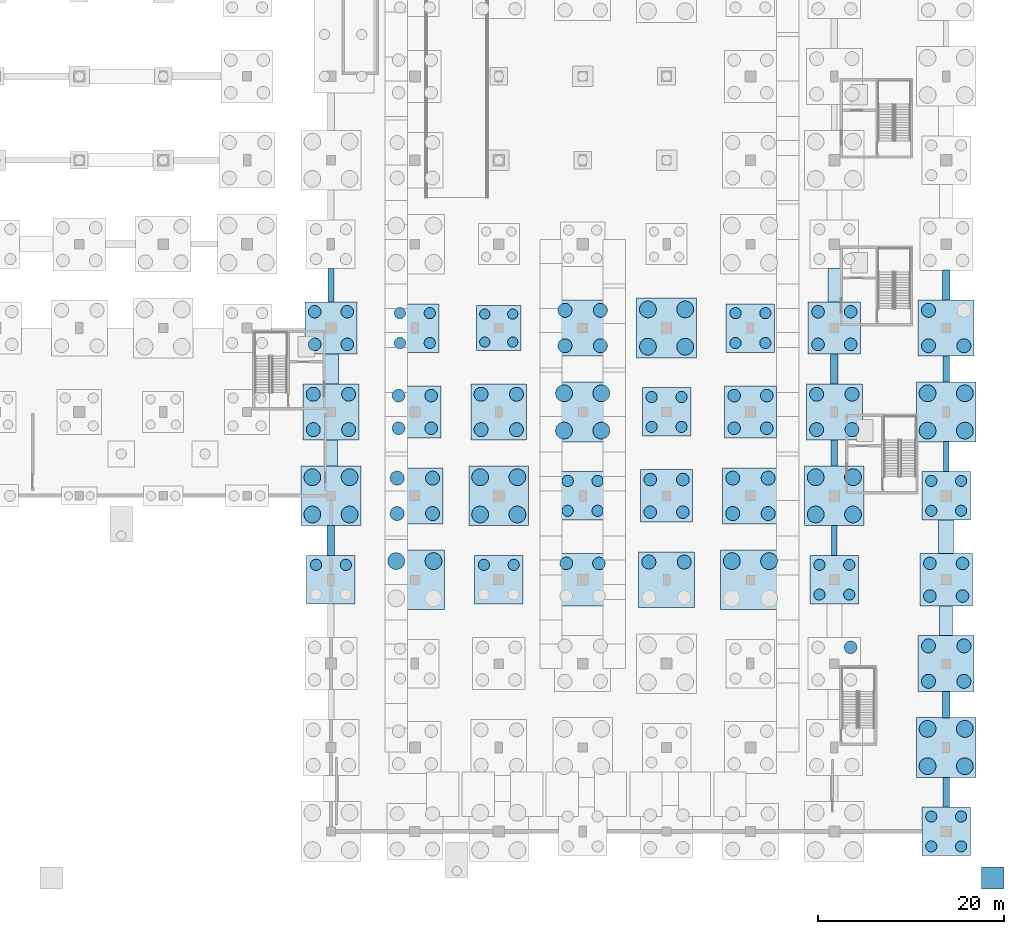
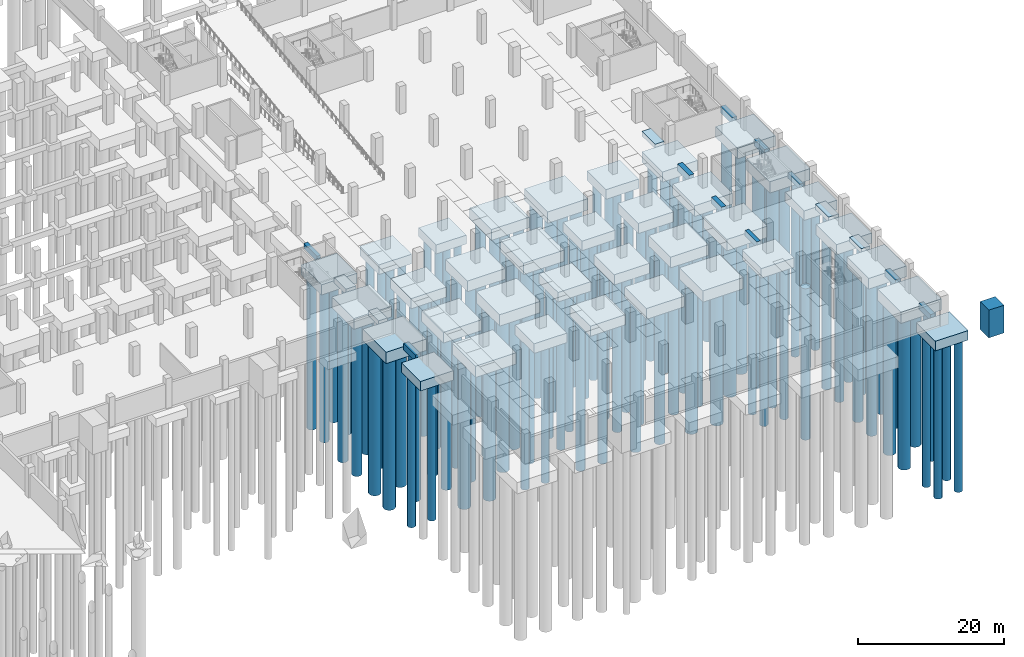
# One storey, part 8 of 37: 128 piles, 51 footings.
"""IFC4 building model written with IfcOpenShell, lengths in metres."""

from ifc_helpers import new_model, si_unit, direction, frame, origin, origin_2d, place, context, subcontext, project, spatial, rectangle, circle, extrude, material, material_profile, profile_set, type_object, element, save


model = new_model("IFC4")

# Units and contexts
model_context = context("Model", 3, precision=1e-05, world=origin(), true_north=direction((0.0, 1.0)))
body_context = subcontext(model_context, "Body", "Model", "MODEL_VIEW")
ifc_project = project(units=[si_unit("LENGTHUNIT", "METRE"), si_unit("AREAUNIT", "SQUARE_METRE"), si_unit("VOLUMEUNIT", "CUBIC_METRE"), si_unit("PLANEANGLEUNIT", "RADIAN"), si_unit("MASSUNIT", "GRAM", prefix="KILO")], contexts=[model_context])

# Site, building, storey
site_placement = place(None, origin())
site = spatial("IfcSite", under=ifc_project, at=site_placement, CompositionType="ELEMENT")
building_placement = place(site_placement, origin())
building = spatial("IfcBuilding", under=site, at=building_placement, Name="Barlavento Convention Centre", CompositionType="ELEMENT")
storey_placement = place(building_placement, frame((0.0, 0.0, -5.0)))
storey = spatial("IfcBuildingStorey", under=building, at=storey_placement, Name="B1", CompositionType="ELEMENT", Elevation=-5.0)

# Footings
ifc_material = material(Name="Concrete C40/50", Category="concrete")
footing_type_1 = type_object("IfcFootingType", Name="STR-FND-GB-600X900", PredefinedType="FOOTING_BEAM", material=ifc_material)
footing_1_placement = place(storey_placement, frame((126.0, 58.60009765625, -0.89990234375), z_axis=(0.0, 0.0, 1.0), x_axis=(1.0, 0.0, 0.0)))
element("IfcFooting", 1, at=footing_1_placement, inside=storey, type_object=footing_type_1, Name="Ground tie footing GB01", PredefinedType="FOOTING_BEAM", context=body_context, shape_type="SweptSolid", body=[
    extrude(rectangle(XDim=0.60009765625, YDim=3.610107421875, at=origin_2d()), origin(), (0.0, 0.0, 1.0), 0.89990234375),
])
for number, where, z_axis, x_axis, name in (
    (2, (180.0, 31.199951171875, -0.89990234375), (0.0, 0.0, 1.0), (1.0, 0.0, 0.0), "Ground tie footing GB01"),
    (3, (192.0, 40.199951171875, -0.89990234375), (0.0, 0.0, 1.0), (1.0, 0.0, 0.0), "Ground tie footing GB01"),
):
    element("IfcFooting", number, at=place(storey_placement, frame(where, z_axis=z_axis, x_axis=x_axis)), inside=storey, type_object=footing_type_1, Name=name, PredefinedType="FOOTING_BEAM", context=body_context, shape_type="SweptSolid", body=[
        extrude(rectangle(XDim=0.60009765625, YDim=3.2099609375, at=origin_2d()), origin(), (0.0, 0.0, 1.0), 0.89990234375),
    ])
footing_type_2 = type_object("IfcFootingType", Name="STR-FND-GB-700X1000", PredefinedType="FOOTING_BEAM", material=ifc_material)
footing_2_placement = place(storey_placement, frame((180.0, 40.60009765625, -1.0), z_axis=(0.0, 0.0, 1.0), x_axis=(1.0, 0.0, 0.0)))
element("IfcFooting", 4, at=footing_2_placement, inside=storey, type_object=footing_type_2, Name="Ground tie footing GB02", PredefinedType="FOOTING_BEAM", context=body_context, shape_type="SweptSolid", body=[
    extrude(rectangle(XDim=0.699951171875, YDim=2.81005859375, at=origin_2d()), origin(), (0.0, 0.0, 1.0), 1.0),
])
footing_3_placement = place(storey_placement, frame((192.0, 4.199951171875, -1.0), z_axis=(0.0, 0.0, 1.0), x_axis=(1.0, 0.0, 0.0)))
element("IfcFooting", 5, at=footing_3_placement, inside=storey, type_object=footing_type_2, Name="Ground tie footing GB02", PredefinedType="FOOTING_BEAM", context=body_context, shape_type="SweptSolid", body=[
    extrude(rectangle(XDim=0.699951171875, YDim=3.2099609375, at=origin_2d()), origin(), (0.0, 0.0, 1.0), 1.0),
])
footing_4_placement = place(storey_placement, frame((192.0, 49.60009765625, -1.0), z_axis=(0.0, 0.0, 1.0), x_axis=(1.0, 0.0, 0.0)))
element("IfcFooting", 6, at=footing_4_placement, inside=storey, type_object=footing_type_2, Name="Ground tie footing GB02", PredefinedType="FOOTING_BEAM", context=body_context, shape_type="SweptSolid", body=[
    extrude(rectangle(XDim=0.699951171875, YDim=2.81005859375, at=origin_2d()), origin(), (0.0, 0.0, 1.0), 1.0),
])
footing_type_3 = type_object("IfcFootingType", Name="STR-FND-GB-800X1100", PredefinedType="FOOTING_BEAM", material=ifc_material)
for number, where, z_axis, x_axis, name in (
    (7, (126.0, 31.199951171875, -1.10009765625), (0.0, 0.0, 1.0), (1.0, 0.0, 0.0), "Ground tie footing GB03"),
    (8, (180.0, 49.60009765625, -1.10009765625), (0.0, 0.0, 1.0), (1.0, 0.0, 0.0), "Ground tie footing GB03"),
):
    element("IfcFooting", number, at=place(storey_placement, frame(where, z_axis=z_axis, x_axis=x_axis)), inside=storey, type_object=footing_type_3, Name=name, PredefinedType="FOOTING_BEAM", context=body_context, shape_type="SweptSolid", body=[
        extrude(rectangle(XDim=0.800048828125, YDim=3.2099609375, at=origin_2d()), origin(), (0.0, 0.0, 1.0), 1.10009765625),
    ])
footing_5_placement = place(storey_placement, frame((192.0, 13.60009765625, -1.10009765625), z_axis=(0.0, 0.0, 1.0), x_axis=(1.0, 0.0, 0.0)))
element("IfcFooting", 9, at=footing_5_placement, inside=storey, type_object=footing_type_3, Name="Ground tie footing GB03", PredefinedType="FOOTING_BEAM", context=body_context, shape_type="SweptSolid", body=[
    extrude(rectangle(XDim=0.800048828125, YDim=2.81005859375, at=origin_2d()), origin(), (0.0, 0.0, 1.0), 1.10009765625),
])
footing_6_placement = place(storey_placement, frame((192.0, 58.60009765625, -1.10009765625), z_axis=(0.0, 0.0, 1.0), x_axis=(1.0, 0.0, 0.0)))
element("IfcFooting", 10, at=footing_6_placement, inside=storey, type_object=footing_type_3, Name="Ground tie footing GB03", PredefinedType="FOOTING_BEAM", context=body_context, shape_type="SweptSolid", body=[
    extrude(rectangle(XDim=0.800048828125, YDim=3.2099609375, at=origin_2d()), origin(), (0.0, 0.0, 1.0), 1.10009765625),
])
footing_type_4 = type_object("IfcFootingType", Name="STR-FND-PAD-APR-2400", PredefinedType="PAD_FOOTING", material=ifc_material)
footing_7_placement = place(storey_placement, frame((197.0, -5.0, 0.0), z_axis=(0.0, 0.0, 1.0), x_axis=(1.0, 0.0, 0.0)))
element("IfcFooting", 11, at=footing_7_placement, inside=storey, type_object=footing_type_4, Name="Perimeter plaza apron foundation pad FND-PAD-APR-03", PredefinedType="PAD_FOOTING", context=body_context, shape_type="SweptSolid", body=[
    extrude(rectangle(XDim=2.39990234375, YDim=2.39990234375, at=origin_2d()), origin(), (0.0, 0.0, 1.0), 4.639892578125),
])
footing_type_5 = type_object("IfcFootingType", Name="STR-FND-PC4-4800", PredefinedType="PILE_CAP", material=ifc_material)
footing_8_placement = place(storey_placement, frame((144.0, 54.0, -2.02001953125), z_axis=(0.0, 0.0, 1.0), x_axis=(1.0, 0.0, 0.0)))
element("IfcFooting", 12, at=footing_8_placement, inside=storey, type_object=footing_type_5, Name="Pile cap PC08 at 17-G", PredefinedType="PILE_CAP", context=body_context, shape_type="SweptSolid", body=[
    extrude(rectangle(XDim=4.800048828125, YDim=4.800048828125, at=origin_2d()), origin(), (0.0, 0.0, 1.0), 1.5),
])
footing_type_6 = type_object("IfcFootingType", Name="STR-FND-PC4-5200", PredefinedType="PILE_CAP", material=ifc_material)
for number, where, z_axis, x_axis, name in (
    (13, (126.0, 27.0, -2.1201171875), (0.0, 0.0, 1.0), (1.0, 0.0, 0.0), "Pile cap PC09 at 15-D"),
    (14, (135.0, 54.0, -2.1201171875), (0.0, 0.0, 1.0), (1.0, 0.0, 0.0), "Pile cap PC09 at 16-G"),
    (15, (144.0, 27.0, -2.1201171875), (0.0, 0.0, 1.0), (1.0, 0.0, 0.0), "Pile cap PC09 at 17-D"),
    (16, (153.0, 36.0, -2.1201171875), (0.0, 0.0, 1.0), (1.0, 0.0, 0.0), "Pile cap PC09 at 18-E"),
    (17, (162.0, 45.0, -2.1201171875), (0.0, 0.0, 1.0), (1.0, 0.0, 0.0), "Pile cap PC09 at 19-F"),
    (18, (171.0, 54.0, -2.1201171875), (0.0, 0.0, 1.0), (1.0, 0.0, 0.0), "Pile cap PC09 at 20-G"),
    (19, (180.0, 27.0, -2.1201171875), (0.0, 0.0, 1.0), (1.0, 0.0, 0.0), "Pile cap PC09 at 21-D"),
    (20, (192.0, 0.0, -2.1201171875), (0.0, 0.0, 1.0), (1.0, 0.0, 0.0), "Pile cap PC09 at 22-A"),
    (21, (192.0, 36.0, -2.1201171875), (0.0, 0.0, 1.0), (1.0, 0.0, 0.0), "Pile cap PC09 at 22-E"),
):
    element("IfcFooting", number, at=place(storey_placement, frame(where, z_axis=z_axis, x_axis=x_axis)), inside=storey, type_object=footing_type_6, Name=name, PredefinedType="PILE_CAP", context=body_context, shape_type="SweptSolid", body=[
        extrude(rectangle(XDim=5.199951171875, YDim=5.199951171875, at=origin_2d()), origin(), (0.0, 0.0, 1.0), 1.60009765625),
    ])
footing_type_7 = type_object("IfcFootingType", Name="STR-FND-PC4-5600", PredefinedType="PILE_CAP", material=ifc_material)
for number, where, z_axis, x_axis, name in (
    (22, (126.0, 54.0, -2.22021484375), (0.0, 0.0, 1.0), (1.0, 0.0, 0.0), "Pile cap PC10 at 15-G"),
    (23, (135.0, 45.0, -2.22021484375), (0.0, 0.0, 1.0), (1.0, 0.0, 0.0), "Pile cap PC10 at 16-F"),
    (24, (153.0, 27.0, -2.22021484375), (0.0, 0.0, 1.0), (1.0, 0.0, 0.0), "Pile cap PC10 at 18-D"),
    (25, (162.0, 36.0, -2.22021484375), (0.0, 0.0, 1.0), (1.0, 0.0, 0.0), "Pile cap PC10 at 19-E"),
    (26, (171.0, 45.0, -2.22021484375), (0.0, 0.0, 1.0), (1.0, 0.0, 0.0), "Pile cap PC10 at 20-F"),
    (27, (180.0, 54.0, -2.22021484375), (0.0, 0.0, 1.0), (1.0, 0.0, 0.0), "Pile cap PC10 at 21-G"),
    (28, (192.0, 27.0, -2.22021484375), (0.0, 0.0, 1.0), (1.0, 0.0, 0.0), "Pile cap PC10 at 22-D"),
):
    element("IfcFooting", number, at=place(storey_placement, frame(where, z_axis=z_axis, x_axis=x_axis)), inside=storey, type_object=footing_type_7, Name=name, PredefinedType="PILE_CAP", context=body_context, shape_type="SweptSolid", body=[
        extrude(rectangle(XDim=5.60009765625, YDim=5.60009765625, at=origin_2d()), origin(), (0.0, 0.0, 1.0), 1.699951171875),
    ])
footing_type_8 = type_object("IfcFootingType", Name="STR-FND-PC4-6000", PredefinedType="PILE_CAP", material=ifc_material)
for number, where, z_axis, x_axis, name in (
    (29, (126.0, 45.0, -2.31982421875), (0.0, 0.0, 1.0), (1.0, 0.0, 0.0), "Pile cap PC11 at 15-F"),
    (30, (135.0, 36.0, -2.31982421875), (0.0, 0.0, 1.0), (1.0, 0.0, 0.0), "Pile cap PC11 at 16-E"),
    (31, (144.0, 45.0, -2.31982421875), (0.0, 0.0, 1.0), (1.0, 0.0, 0.0), "Pile cap PC11 at 17-F"),
    (32, (153.0, 54.0, -2.31982421875), (0.0, 0.0, 1.0), (1.0, 0.0, 0.0), "Pile cap PC11 at 18-G"),
    (33, (162.0, 27.0, -2.31982421875), (0.0, 0.0, 1.0), (1.0, 0.0, 0.0), "Pile cap PC11 at 19-D"),
    (34, (171.0, 36.0, -2.31982421875), (0.0, 0.0, 1.0), (1.0, 0.0, 0.0), "Pile cap PC11 at 20-E"),
    (35, (180.0, 45.0, -2.31982421875), (0.0, 0.0, 1.0), (1.0, 0.0, 0.0), "Pile cap PC11 at 21-F"),
    (36, (192.0, 18.0, -2.31982421875), (0.0, 0.0, 1.0), (1.0, 0.0, 0.0), "Pile cap PC11 at 22-C"),
    (37, (192.0, 54.0, -2.31982421875), (0.0, 0.0, 1.0), (1.0, 0.0, 0.0), "Pile cap PC11 at 22-G"),
):
    element("IfcFooting", number, at=place(storey_placement, frame(where, z_axis=z_axis, x_axis=x_axis)), inside=storey, type_object=footing_type_8, Name=name, PredefinedType="PILE_CAP", context=body_context, shape_type="SweptSolid", body=[
        extrude(rectangle(XDim=6.0, YDim=6.0, at=origin_2d()), origin(), (0.0, 0.0, 1.0), 1.800048828125),
    ])
footing_type_9 = type_object("IfcFootingType", Name="STR-FND-PC4-6400", PredefinedType="PILE_CAP", material=ifc_material)
for number, where, z_axis, x_axis, name in (
    (38, (126.0, 36.0, -2.419921875), (0.0, 0.0, 1.0), (1.0, 0.0, 0.0), "Pile cap PC12 at 15-E"),
    (39, (135.0, 27.0, -2.419921875), (0.0, 0.0, 1.0), (1.0, 0.0, 0.0), "Pile cap PC12 at 16-D"),
    (40, (144.0, 36.0, -2.419921875), (0.0, 0.0, 1.0), (1.0, 0.0, 0.0), "Pile cap PC12 at 17-E"),
    (41, (153.0, 45.0, -2.419921875), (0.0, 0.0, 1.0), (1.0, 0.0, 0.0), "Pile cap PC12 at 18-F"),
    (42, (162.0, 54.0, -2.419921875), (0.0, 0.0, 1.0), (1.0, 0.0, 0.0), "Pile cap PC12 at 19-G"),
    (43, (171.0, 27.0, -2.419921875), (0.0, 0.0, 1.0), (1.0, 0.0, 0.0), "Pile cap PC12 at 20-D"),
    (44, (180.0, 36.0, -2.419921875), (0.0, 0.0, 1.0), (1.0, 0.0, 0.0), "Pile cap PC12 at 21-E"),
    (45, (192.0, 9.0, -2.419921875), (0.0, 0.0, 1.0), (1.0, 0.0, 0.0), "Pile cap PC12 at 22-B"),
    (46, (192.0, 45.0, -2.419921875), (0.0, 0.0, 1.0), (1.0, 0.0, 0.0), "Pile cap PC12 at 22-F"),
):
    element("IfcFooting", number, at=place(storey_placement, frame(where, z_axis=z_axis, x_axis=x_axis)), inside=storey, type_object=footing_type_9, Name=name, PredefinedType="PILE_CAP", context=body_context, shape_type="SweptSolid", body=[
        extrude(rectangle(XDim=6.39990234375, YDim=6.39990234375, at=origin_2d()), origin(), (0.0, 0.0, 1.0), 1.89990234375),
    ])
footing_type_10 = type_object("IfcFootingType", Name="STR-FND-SF-1400X800", PredefinedType="STRIP_FOOTING", material=ifc_material)
footing_9_placement = place(storey_placement, frame((126.0, 40.60009765625, -0.7998046875), z_axis=(0.0, 0.0, 1.0), x_axis=(1.0, 0.0, 0.0)))
element("IfcFooting", 47, at=footing_9_placement, inside=storey, type_object=footing_type_10, Name="Ground tie footing SF01", PredefinedType="STRIP_FOOTING", context=body_context, shape_type="SweptSolid", body=[
    extrude(rectangle(XDim=1.39990234375, YDim=2.81005859375, at=origin_2d()), origin(), (0.0, 0.0, 1.0), 0.800048828125),
])
footing_10_placement = place(storey_placement, frame((180.0, 58.60009765625, -0.7998046875), z_axis=(0.0, 0.0, 1.0), x_axis=(1.0, 0.0, 0.0)))
element("IfcFooting", 48, at=footing_10_placement, inside=storey, type_object=footing_type_10, Name="Ground tie footing SF01", PredefinedType="STRIP_FOOTING", context=body_context, shape_type="SweptSolid", body=[
    extrude(rectangle(XDim=1.39990234375, YDim=3.610107421875, at=origin_2d()), origin(), (0.0, 0.0, 1.0), 0.800048828125),
])
footing_11_placement = place(storey_placement, frame((192.0, 22.60009765625, -0.7998046875), z_axis=(0.0, 0.0, 1.0), x_axis=(1.0, 0.0, 0.0)))
element("IfcFooting", 49, at=footing_11_placement, inside=storey, type_object=footing_type_10, Name="Ground tie footing SF01", PredefinedType="STRIP_FOOTING", context=body_context, shape_type="SweptSolid", body=[
    extrude(rectangle(XDim=1.39990234375, YDim=3.2099609375, at=origin_2d()), origin(), (0.0, 0.0, 1.0), 0.800048828125),
])
footing_type_11 = type_object("IfcFootingType", Name="STR-FND-SF-1600X900", PredefinedType="STRIP_FOOTING", material=ifc_material)
footing_12_placement = place(storey_placement, frame((126.0, 49.60009765625, -0.89990234375), z_axis=(0.0, 0.0, 1.0), x_axis=(1.0, 0.0, 0.0)))
element("IfcFooting", 50, at=footing_12_placement, inside=storey, type_object=footing_type_11, Name="Ground tie footing SF02", PredefinedType="STRIP_FOOTING", context=body_context, shape_type="SweptSolid", body=[
    extrude(rectangle(XDim=1.60009765625, YDim=3.2099609375, at=origin_2d()), origin(), (0.0, 0.0, 1.0), 0.89990234375),
])
footing_13_placement = place(storey_placement, frame((192.0, 31.60009765625, -0.89990234375), z_axis=(0.0, 0.0, 1.0), x_axis=(1.0, 0.0, 0.0)))
element("IfcFooting", 51, at=footing_13_placement, inside=storey, type_object=footing_type_11, Name="Ground tie footing SF02", PredefinedType="STRIP_FOOTING", context=body_context, shape_type="SweptSolid", body=[
    extrude(rectangle(XDim=1.60009765625, YDim=3.610107421875, at=origin_2d()), origin(), (0.0, 0.0, 1.0), 0.89990234375),
])

# Piles
ifc_material_profile_1 = material_profile(ifc_material, circle(Radius=0.550048828125, at=origin_2d()), Name="BORED PILE 1100")
ifc_profile_set_1 = profile_set([ifc_material_profile_1], Name="Concrete C40/50")
pile_type_1 = type_object("IfcPileType", Name="STR-PIL-B1100", PredefinedType="BORED", material=ifc_profile_set_1)
for number, where, z_axis, x_axis, name in (
    (52, (142.5, 52.5, -1.919921875), (0.0, 0.0, -1.0), (1.0, 0.0, 0.0), "Bored pile P11 under FND-CAP-0218"),
    (53, (145.5, 52.5, -1.919921875), (0.0, 0.0, -1.0), (1.0, 0.0, 0.0), "Bored pile P11 under FND-CAP-0218"),
    (54, (142.5, 55.5, -1.919921875), (0.0, 0.0, -1.0), (1.0, 0.0, 0.0), "Bored pile P11 under FND-CAP-0218"),
    (55, (145.5, 55.5, -1.919921875), (0.0, 0.0, -1.0), (1.0, 0.0, 0.0), "Bored pile P11 under FND-CAP-0218"),
):
    element("IfcPile", number, at=place(storey_placement, frame(where, z_axis=z_axis, x_axis=x_axis)), inside=storey, type_object=pile_type_1, Name=name, PredefinedType="BORED", context=body_context, shape_type="SweptSolid", body=[
        extrude(circle(Radius=0.550048828125, at=origin_2d()), origin(), (0.0, 0.0, 1.0), 25.580078125),
    ])
ifc_material_profile_2 = material_profile(ifc_material, circle(Radius=0.60009765625, at=origin_2d()), Name="BORED PILE 1200")
ifc_profile_set_2 = profile_set([ifc_material_profile_2], Name="Concrete C40/50")
pile_type_2 = type_object("IfcPileType", Name="STR-PIL-B1200", PredefinedType="BORED", material=ifc_profile_set_2)
for number, where, z_axis, x_axis, name in (
    (56, (124.39990234375, 28.60009765625, -2.02001953125), (0.0, 0.0, -1.0), (1.0, 0.0, 0.0), "Bored pile P12 under FND-CAP-0187"),
    (57, (127.60009765625, 28.60009765625, -2.02001953125), (0.0, 0.0, -1.0), (1.0, 0.0, 0.0), "Bored pile P12 under FND-CAP-0187"),
    (58, (133.39990234375, 52.39990234375, -2.02001953125), (0.0, 0.0, -1.0), (1.0, 0.0, 0.0), "Bored pile P12 under FND-CAP-0203"),
    (59, (136.60009765625, 52.39990234375, -2.02001953125), (0.0, 0.0, -1.0), (1.0, 0.0, 0.0), "Bored pile P12 under FND-CAP-0203"),
    (60, (133.39990234375, 55.60009765625, -2.02001953125), (0.0, 0.0, -1.0), (1.0, 0.0, 0.0), "Bored pile P12 under FND-CAP-0203"),
    (61, (136.60009765625, 55.60009765625, -2.02001953125), (0.0, 0.0, -1.0), (1.0, 0.0, 0.0), "Bored pile P12 under FND-CAP-0203"),
    (62, (142.39990234375, 28.60009765625, -2.02001953125), (0.0, 0.0, -1.0), (1.0, 0.0, 0.0), "Bored pile P12 under FND-CAP-0215"),
    (63, (145.60009765625, 28.60009765625, -2.02001953125), (0.0, 0.0, -1.0), (1.0, 0.0, 0.0), "Bored pile P12 under FND-CAP-0215"),
    (64, (151.39990234375, 34.39990234375, -2.02001953125), (0.0, 0.0, -1.0), (1.0, 0.0, 0.0), "Bored pile P12 under FND-CAP-0231"),
    (65, (154.60009765625, 34.39990234375, -2.02001953125), (0.0, 0.0, -1.0), (1.0, 0.0, 0.0), "Bored pile P12 under FND-CAP-0231"),
    (66, (151.39990234375, 37.60009765625, -2.02001953125), (0.0, 0.0, -1.0), (1.0, 0.0, 0.0), "Bored pile P12 under FND-CAP-0231"),
    (67, (154.60009765625, 37.60009765625, -2.02001953125), (0.0, 0.0, -1.0), (1.0, 0.0, 0.0), "Bored pile P12 under FND-CAP-0231"),
    (68, (160.39990234375, 43.39990234375, -2.02001953125), (0.0, 0.0, -1.0), (1.0, 0.0, 0.0), "Bored pile P12 under FND-CAP-0247"),
    (69, (163.60009765625, 43.39990234375, -2.02001953125), (0.0, 0.0, -1.0), (1.0, 0.0, 0.0), "Bored pile P12 under FND-CAP-0247"),
    (70, (160.39990234375, 46.60009765625, -2.02001953125), (0.0, 0.0, -1.0), (1.0, 0.0, 0.0), "Bored pile P12 under FND-CAP-0247"),
    (71, (163.60009765625, 46.60009765625, -2.02001953125), (0.0, 0.0, -1.0), (1.0, 0.0, 0.0), "Bored pile P12 under FND-CAP-0247"),
    (72, (169.39990234375, 52.39990234375, -2.02001953125), (0.0, 0.0, -1.0), (1.0, 0.0, 0.0), "Bored pile P12 under FND-CAP-0263"),
    (73, (172.60009765625, 52.39990234375, -2.02001953125), (0.0, 0.0, -1.0), (1.0, 0.0, 0.0), "Bored pile P12 under FND-CAP-0263"),
    (74, (169.39990234375, 55.60009765625, -2.02001953125), (0.0, 0.0, -1.0), (1.0, 0.0, 0.0), "Bored pile P12 under FND-CAP-0263"),
    (75, (172.60009765625, 55.60009765625, -2.02001953125), (0.0, 0.0, -1.0), (1.0, 0.0, 0.0), "Bored pile P12 under FND-CAP-0263"),
    (76, (178.39990234375, 25.39990234375, -2.02001953125), (0.0, 0.0, -1.0), (1.0, 0.0, 0.0), "Bored pile P12 under FND-CAP-0275"),
    (77, (181.60009765625, 25.39990234375, -2.02001953125), (0.0, 0.0, -1.0), (1.0, 0.0, 0.0), "Bored pile P12 under FND-CAP-0275"),
    (78, (178.39990234375, 28.60009765625, -2.02001953125), (0.0, 0.0, -1.0), (1.0, 0.0, 0.0), "Bored pile P12 under FND-CAP-0275"),
    (79, (181.60009765625, 28.60009765625, -2.02001953125), (0.0, 0.0, -1.0), (1.0, 0.0, 0.0), "Bored pile P12 under FND-CAP-0275"),
    (80, (190.39990234375, -1.60009765625, -2.02001953125), (0.0, 0.0, -1.0), (1.0, 0.0, 0.0), "Bored pile P12 under FND-CAP-0287"),
    (81, (193.60009765625, -1.60009765625, -2.02001953125), (0.0, 0.0, -1.0), (1.0, 0.0, 0.0), "Bored pile P12 under FND-CAP-0287"),
    (82, (190.39990234375, 1.60009765625, -2.02001953125), (0.0, 0.0, -1.0), (1.0, 0.0, 0.0), "Bored pile P12 under FND-CAP-0287"),
    (83, (193.60009765625, 1.60009765625, -2.02001953125), (0.0, 0.0, -1.0), (1.0, 0.0, 0.0), "Bored pile P12 under FND-CAP-0287"),
    (84, (190.39990234375, 34.39990234375, -2.02001953125), (0.0, 0.0, -1.0), (1.0, 0.0, 0.0), "Bored pile P12 under FND-CAP-0291"),
    (85, (193.60009765625, 34.39990234375, -2.02001953125), (0.0, 0.0, -1.0), (1.0, 0.0, 0.0), "Bored pile P12 under FND-CAP-0291"),
    (86, (190.39990234375, 37.60009765625, -2.02001953125), (0.0, 0.0, -1.0), (1.0, 0.0, 0.0), "Bored pile P12 under FND-CAP-0291"),
    (87, (193.60009765625, 37.60009765625, -2.02001953125), (0.0, 0.0, -1.0), (1.0, 0.0, 0.0), "Bored pile P12 under FND-CAP-0291"),
):
    element("IfcPile", number, at=place(storey_placement, frame(where, z_axis=z_axis, x_axis=x_axis)), inside=storey, type_object=pile_type_2, Name=name, PredefinedType="BORED", context=body_context, shape_type="SweptSolid", body=[
        extrude(circle(Radius=0.60009765625, at=origin_2d()), origin(), (0.0, 0.0, 1.0), 25.47998046875),
    ])
ifc_material_profile_3 = material_profile(ifc_material, circle(Radius=0.675048828125, at=origin_2d()), Name="BORED PILE 1350")
ifc_profile_set_3 = profile_set([ifc_material_profile_3], Name="Concrete C40/50")
pile_type_3 = type_object("IfcPileType", Name="STR-PIL-B1350", PredefinedType="BORED", material=ifc_profile_set_3)
for number, where, z_axis, x_axis, name in (
    (88, (124.25, 52.25, -2.1201171875), (0.0, 0.0, -1.0), (1.0, 0.0, 0.0), "Bored pile P13 under FND-CAP-0190"),
    (89, (127.75, 52.25, -2.1201171875), (0.0, 0.0, -1.0), (1.0, 0.0, 0.0), "Bored pile P13 under FND-CAP-0190"),
    (90, (124.25, 55.75, -2.1201171875), (0.0, 0.0, -1.0), (1.0, 0.0, 0.0), "Bored pile P13 under FND-CAP-0190"),
    (91, (127.75, 55.75, -2.1201171875), (0.0, 0.0, -1.0), (1.0, 0.0, 0.0), "Bored pile P13 under FND-CAP-0190"),
    (92, (133.25, 43.25, -2.1201171875), (0.0, 0.0, -1.0), (1.0, 0.0, 0.0), "Bored pile P13 under FND-CAP-0202"),
    (93, (136.75, 43.25, -2.1201171875), (0.0, 0.0, -1.0), (1.0, 0.0, 0.0), "Bored pile P13 under FND-CAP-0202"),
    (94, (133.25, 46.75, -2.1201171875), (0.0, 0.0, -1.0), (1.0, 0.0, 0.0), "Bored pile P13 under FND-CAP-0202"),
    (95, (136.75, 46.75, -2.1201171875), (0.0, 0.0, -1.0), (1.0, 0.0, 0.0), "Bored pile P13 under FND-CAP-0202"),
    (96, (151.25, 28.75, -2.1201171875), (0.0, 0.0, -1.0), (1.0, 0.0, 0.0), "Bored pile P13 under FND-CAP-0230"),
    (97, (154.75, 28.75, -2.1201171875), (0.0, 0.0, -1.0), (1.0, 0.0, 0.0), "Bored pile P13 under FND-CAP-0230"),
    (98, (160.25, 34.25, -2.1201171875), (0.0, 0.0, -1.0), (1.0, 0.0, 0.0), "Bored pile P13 under FND-CAP-0246"),
    (99, (163.75, 34.25, -2.1201171875), (0.0, 0.0, -1.0), (1.0, 0.0, 0.0), "Bored pile P13 under FND-CAP-0246"),
    (100, (160.25, 37.75, -2.1201171875), (0.0, 0.0, -1.0), (1.0, 0.0, 0.0), "Bored pile P13 under FND-CAP-0246"),
    (101, (163.75, 37.75, -2.1201171875), (0.0, 0.0, -1.0), (1.0, 0.0, 0.0), "Bored pile P13 under FND-CAP-0246"),
    (102, (169.25, 43.25, -2.1201171875), (0.0, 0.0, -1.0), (1.0, 0.0, 0.0), "Bored pile P13 under FND-CAP-0262"),
    (103, (172.75, 43.25, -2.1201171875), (0.0, 0.0, -1.0), (1.0, 0.0, 0.0), "Bored pile P13 under FND-CAP-0262"),
    (104, (169.25, 46.75, -2.1201171875), (0.0, 0.0, -1.0), (1.0, 0.0, 0.0), "Bored pile P13 under FND-CAP-0262"),
    (105, (172.75, 46.75, -2.1201171875), (0.0, 0.0, -1.0), (1.0, 0.0, 0.0), "Bored pile P13 under FND-CAP-0262"),
    (106, (181.75, 19.75, -2.1201171875), (0.0, 0.0, -1.0), (1.0, 0.0, 0.0), "Bored pile P13 under FND-CAP-0274"),
    (107, (178.25, 52.25, -2.1201171875), (0.0, 0.0, -1.0), (1.0, 0.0, 0.0), "Bored pile P13 under FND-CAP-0278"),
    (108, (181.75, 52.25, -2.1201171875), (0.0, 0.0, -1.0), (1.0, 0.0, 0.0), "Bored pile P13 under FND-CAP-0278"),
    (109, (178.25, 55.75, -2.1201171875), (0.0, 0.0, -1.0), (1.0, 0.0, 0.0), "Bored pile P13 under FND-CAP-0278"),
    (110, (181.75, 55.75, -2.1201171875), (0.0, 0.0, -1.0), (1.0, 0.0, 0.0), "Bored pile P13 under FND-CAP-0278"),
    (111, (190.25, 25.25, -2.1201171875), (0.0, 0.0, -1.0), (1.0, 0.0, 0.0), "Bored pile P13 under FND-CAP-0290"),
    (112, (193.75, 25.25, -2.1201171875), (0.0, 0.0, -1.0), (1.0, 0.0, 0.0), "Bored pile P13 under FND-CAP-0290"),
    (113, (190.25, 28.75, -2.1201171875), (0.0, 0.0, -1.0), (1.0, 0.0, 0.0), "Bored pile P13 under FND-CAP-0290"),
    (114, (193.75, 28.75, -2.1201171875), (0.0, 0.0, -1.0), (1.0, 0.0, 0.0), "Bored pile P13 under FND-CAP-0290"),
):
    element("IfcPile", number, at=place(storey_placement, frame(where, z_axis=z_axis, x_axis=x_axis)), inside=storey, type_object=pile_type_3, Name=name, PredefinedType="BORED", context=body_context, shape_type="SweptSolid", body=[
        extrude(circle(Radius=0.675048828125, at=origin_2d()), origin(), (0.0, 0.0, 1.0), 25.3798828125),
    ])
ifc_material_profile_4 = material_profile(ifc_material, circle(Radius=0.75, at=origin_2d()), Name="BORED PILE 1500")
ifc_profile_set_4 = profile_set([ifc_material_profile_4], Name="Concrete C40/50")
pile_type_4 = type_object("IfcPileType", Name="STR-PIL-B1500", PredefinedType="BORED", material=ifc_profile_set_4)
for number, where, z_axis, x_axis, name in (
    (115, (124.10009765625, 43.10009765625, -2.219970703125), (0.0, 0.0, -1.0), (1.0, 0.0, 0.0), "Bored pile P15 under FND-CAP-0189"),
    (116, (127.89990234375, 43.10009765625, -2.219970703125), (0.0, 0.0, -1.0), (1.0, 0.0, 0.0), "Bored pile P15 under FND-CAP-0189"),
    (117, (124.10009765625, 46.89990234375, -2.219970703125), (0.0, 0.0, -1.0), (1.0, 0.0, 0.0), "Bored pile P15 under FND-CAP-0189"),
    (118, (127.89990234375, 46.89990234375, -2.219970703125), (0.0, 0.0, -1.0), (1.0, 0.0, 0.0), "Bored pile P15 under FND-CAP-0189"),
    (119, (133.10009765625, 34.10009765625, -2.219970703125), (0.0, 0.0, -1.0), (1.0, 0.0, 0.0), "Bored pile P15 under FND-CAP-0201"),
    (120, (136.89990234375, 34.10009765625, -2.219970703125), (0.0, 0.0, -1.0), (1.0, 0.0, 0.0), "Bored pile P15 under FND-CAP-0201"),
    (121, (133.10009765625, 37.89990234375, -2.219970703125), (0.0, 0.0, -1.0), (1.0, 0.0, 0.0), "Bored pile P15 under FND-CAP-0201"),
    (122, (136.89990234375, 37.89990234375, -2.219970703125), (0.0, 0.0, -1.0), (1.0, 0.0, 0.0), "Bored pile P15 under FND-CAP-0201"),
    (123, (142.10009765625, 43.10009765625, -2.219970703125), (0.0, 0.0, -1.0), (1.0, 0.0, 0.0), "Bored pile P15 under FND-CAP-0217"),
    (124, (145.89990234375, 43.10009765625, -2.219970703125), (0.0, 0.0, -1.0), (1.0, 0.0, 0.0), "Bored pile P15 under FND-CAP-0217"),
    (125, (142.10009765625, 46.89990234375, -2.219970703125), (0.0, 0.0, -1.0), (1.0, 0.0, 0.0), "Bored pile P15 under FND-CAP-0217"),
    (126, (145.89990234375, 46.89990234375, -2.219970703125), (0.0, 0.0, -1.0), (1.0, 0.0, 0.0), "Bored pile P15 under FND-CAP-0217"),
    (127, (151.10009765625, 52.10009765625, -2.219970703125), (0.0, 0.0, -1.0), (1.0, 0.0, 0.0), "Bored pile P15 under FND-CAP-0233"),
    (128, (154.89990234375, 52.10009765625, -2.219970703125), (0.0, 0.0, -1.0), (1.0, 0.0, 0.0), "Bored pile P15 under FND-CAP-0233"),
    (129, (151.10009765625, 55.89990234375, -2.219970703125), (0.0, 0.0, -1.0), (1.0, 0.0, 0.0), "Bored pile P15 under FND-CAP-0233"),
    (130, (154.89990234375, 55.89990234375, -2.219970703125), (0.0, 0.0, -1.0), (1.0, 0.0, 0.0), "Bored pile P15 under FND-CAP-0233"),
    (131, (160.10009765625, 28.89990234375, -2.219970703125), (0.0, 0.0, -1.0), (1.0, 0.0, 0.0), "Bored pile P15 under FND-CAP-0245"),
    (132, (163.89990234375, 28.89990234375, -2.219970703125), (0.0, 0.0, -1.0), (1.0, 0.0, 0.0), "Bored pile P15 under FND-CAP-0245"),
    (133, (169.10009765625, 34.10009765625, -2.219970703125), (0.0, 0.0, -1.0), (1.0, 0.0, 0.0), "Bored pile P15 under FND-CAP-0261"),
    (134, (172.89990234375, 34.10009765625, -2.219970703125), (0.0, 0.0, -1.0), (1.0, 0.0, 0.0), "Bored pile P15 under FND-CAP-0261"),
    (135, (169.10009765625, 37.89990234375, -2.219970703125), (0.0, 0.0, -1.0), (1.0, 0.0, 0.0), "Bored pile P15 under FND-CAP-0261"),
    (136, (172.89990234375, 37.89990234375, -2.219970703125), (0.0, 0.0, -1.0), (1.0, 0.0, 0.0), "Bored pile P15 under FND-CAP-0261"),
    (137, (178.10009765625, 43.10009765625, -2.219970703125), (0.0, 0.0, -1.0), (1.0, 0.0, 0.0), "Bored pile P15 under FND-CAP-0277"),
    (138, (181.89990234375, 43.10009765625, -2.219970703125), (0.0, 0.0, -1.0), (1.0, 0.0, 0.0), "Bored pile P15 under FND-CAP-0277"),
    (139, (178.10009765625, 46.89990234375, -2.219970703125), (0.0, 0.0, -1.0), (1.0, 0.0, 0.0), "Bored pile P15 under FND-CAP-0277"),
    (140, (181.89990234375, 46.89990234375, -2.219970703125), (0.0, 0.0, -1.0), (1.0, 0.0, 0.0), "Bored pile P15 under FND-CAP-0277"),
    (141, (190.10009765625, 16.10009765625, -2.219970703125), (0.0, 0.0, -1.0), (1.0, 0.0, 0.0), "Bored pile P15 under FND-CAP-0289"),
    (142, (193.89990234375, 16.10009765625, -2.219970703125), (0.0, 0.0, -1.0), (1.0, 0.0, 0.0), "Bored pile P15 under FND-CAP-0289"),
    (143, (190.10009765625, 19.89990234375, -2.219970703125), (0.0, 0.0, -1.0), (1.0, 0.0, 0.0), "Bored pile P15 under FND-CAP-0289"),
    (144, (193.89990234375, 19.89990234375, -2.219970703125), (0.0, 0.0, -1.0), (1.0, 0.0, 0.0), "Bored pile P15 under FND-CAP-0289"),
    (145, (190.10009765625, 52.10009765625, -2.219970703125), (0.0, 0.0, -1.0), (1.0, 0.0, 0.0), "Bored pile P15 under FND-CAP-0293"),
    (146, (193.89990234375, 52.10009765625, -2.219970703125), (0.0, 0.0, -1.0), (1.0, 0.0, 0.0), "Bored pile P15 under FND-CAP-0293"),
    (147, (190.10009765625, 55.89990234375, -2.219970703125), (0.0, 0.0, -1.0), (1.0, 0.0, 0.0), "Bored pile P15 under FND-CAP-0293"),
):
    element("IfcPile", number, at=place(storey_placement, frame(where, z_axis=z_axis, x_axis=x_axis)), inside=storey, type_object=pile_type_4, Name=name, PredefinedType="BORED", context=body_context, shape_type="SweptSolid", body=[
        extrude(circle(Radius=0.75, at=origin_2d()), origin(), (0.0, 0.0, 1.0), 25.280029296875),
    ])
ifc_material_profile_5 = material_profile(ifc_material, circle(Radius=0.89990234375, at=origin_2d()), Name="BORED PILE 1800")
ifc_profile_set_5 = profile_set([ifc_material_profile_5], Name="Concrete C40/50")
pile_type_5 = type_object("IfcPileType", Name="STR-PIL-B1800", PredefinedType="BORED", material=ifc_profile_set_5)
for number, where, z_axis, x_axis, name in (
    (148, (124.0, 34.0, -2.320068359375), (0.0, 0.0, -1.0), (1.0, 0.0, 0.0), "Bored pile P18 under FND-CAP-0188"),
    (149, (128.0, 34.0, -2.320068359375), (0.0, 0.0, -1.0), (1.0, 0.0, 0.0), "Bored pile P18 under FND-CAP-0188"),
    (150, (124.0, 38.0, -2.320068359375), (0.0, 0.0, -1.0), (1.0, 0.0, 0.0), "Bored pile P18 under FND-CAP-0188"),
    (151, (128.0, 38.0, -2.320068359375), (0.0, 0.0, -1.0), (1.0, 0.0, 0.0), "Bored pile P18 under FND-CAP-0188"),
    (152, (133.0, 29.0, -2.320068359375), (0.0, 0.0, -1.0), (1.0, 0.0, 0.0), "Bored pile P18 under FND-CAP-0200"),
    (153, (137.0, 29.0, -2.320068359375), (0.0, 0.0, -1.0), (1.0, 0.0, 0.0), "Bored pile P18 under FND-CAP-0200"),
    (154, (142.0, 34.0, -2.320068359375), (0.0, 0.0, -1.0), (1.0, 0.0, 0.0), "Bored pile P18 under FND-CAP-0216"),
    (155, (146.0, 34.0, -2.320068359375), (0.0, 0.0, -1.0), (1.0, 0.0, 0.0), "Bored pile P18 under FND-CAP-0216"),
    (156, (142.0, 38.0, -2.320068359375), (0.0, 0.0, -1.0), (1.0, 0.0, 0.0), "Bored pile P18 under FND-CAP-0216"),
    (157, (146.0, 38.0, -2.320068359375), (0.0, 0.0, -1.0), (1.0, 0.0, 0.0), "Bored pile P18 under FND-CAP-0216"),
    (158, (151.0, 43.0, -2.320068359375), (0.0, 0.0, -1.0), (1.0, 0.0, 0.0), "Bored pile P18 under FND-CAP-0232"),
    (159, (155.0, 43.0, -2.320068359375), (0.0, 0.0, -1.0), (1.0, 0.0, 0.0), "Bored pile P18 under FND-CAP-0232"),
    (160, (151.0, 47.0, -2.320068359375), (0.0, 0.0, -1.0), (1.0, 0.0, 0.0), "Bored pile P18 under FND-CAP-0232"),
    (161, (155.0, 47.0, -2.320068359375), (0.0, 0.0, -1.0), (1.0, 0.0, 0.0), "Bored pile P18 under FND-CAP-0232"),
    (162, (160.0, 52.0, -2.320068359375), (0.0, 0.0, -1.0), (1.0, 0.0, 0.0), "Bored pile P18 under FND-CAP-0248"),
    (163, (164.0, 52.0, -2.320068359375), (0.0, 0.0, -1.0), (1.0, 0.0, 0.0), "Bored pile P18 under FND-CAP-0248"),
    (164, (160.0, 56.0, -2.320068359375), (0.0, 0.0, -1.0), (1.0, 0.0, 0.0), "Bored pile P18 under FND-CAP-0248"),
    (165, (164.0, 56.0, -2.320068359375), (0.0, 0.0, -1.0), (1.0, 0.0, 0.0), "Bored pile P18 under FND-CAP-0248"),
    (166, (169.0, 29.0, -2.320068359375), (0.0, 0.0, -1.0), (1.0, 0.0, 0.0), "Bored pile P18 under FND-CAP-0260"),
    (167, (173.0, 29.0, -2.320068359375), (0.0, 0.0, -1.0), (1.0, 0.0, 0.0), "Bored pile P18 under FND-CAP-0260"),
    (168, (178.0, 34.0, -2.320068359375), (0.0, 0.0, -1.0), (1.0, 0.0, 0.0), "Bored pile P18 under FND-CAP-0276"),
    (169, (182.0, 34.0, -2.320068359375), (0.0, 0.0, -1.0), (1.0, 0.0, 0.0), "Bored pile P18 under FND-CAP-0276"),
    (170, (178.0, 38.0, -2.320068359375), (0.0, 0.0, -1.0), (1.0, 0.0, 0.0), "Bored pile P18 under FND-CAP-0276"),
    (171, (182.0, 38.0, -2.320068359375), (0.0, 0.0, -1.0), (1.0, 0.0, 0.0), "Bored pile P18 under FND-CAP-0276"),
    (172, (190.0, 7.0, -2.320068359375), (0.0, 0.0, -1.0), (1.0, 0.0, 0.0), "Bored pile P18 under FND-CAP-0288"),
    (173, (194.0, 7.0, -2.320068359375), (0.0, 0.0, -1.0), (1.0, 0.0, 0.0), "Bored pile P18 under FND-CAP-0288"),
    (174, (190.0, 11.0, -2.320068359375), (0.0, 0.0, -1.0), (1.0, 0.0, 0.0), "Bored pile P18 under FND-CAP-0288"),
    (175, (194.0, 11.0, -2.320068359375), (0.0, 0.0, -1.0), (1.0, 0.0, 0.0), "Bored pile P18 under FND-CAP-0288"),
    (176, (190.0, 43.0, -2.320068359375), (0.0, 0.0, -1.0), (1.0, 0.0, 0.0), "Bored pile P18 under FND-CAP-0292"),
    (177, (194.0, 43.0, -2.320068359375), (0.0, 0.0, -1.0), (1.0, 0.0, 0.0), "Bored pile P18 under FND-CAP-0292"),
    (178, (190.0, 47.0, -2.320068359375), (0.0, 0.0, -1.0), (1.0, 0.0, 0.0), "Bored pile P18 under FND-CAP-0292"),
    (179, (194.0, 47.0, -2.320068359375), (0.0, 0.0, -1.0), (1.0, 0.0, 0.0), "Bored pile P18 under FND-CAP-0292"),
):
    element("IfcPile", number, at=place(storey_placement, frame(where, z_axis=z_axis, x_axis=x_axis)), inside=storey, type_object=pile_type_5, Name=name, PredefinedType="BORED", context=body_context, shape_type="SweptSolid", body=[
        extrude(circle(Radius=0.89990234375, at=origin_2d()), origin(), (0.0, 0.0, 1.0), 25.179931640625),
    ])

save(model, "model.ifc")
